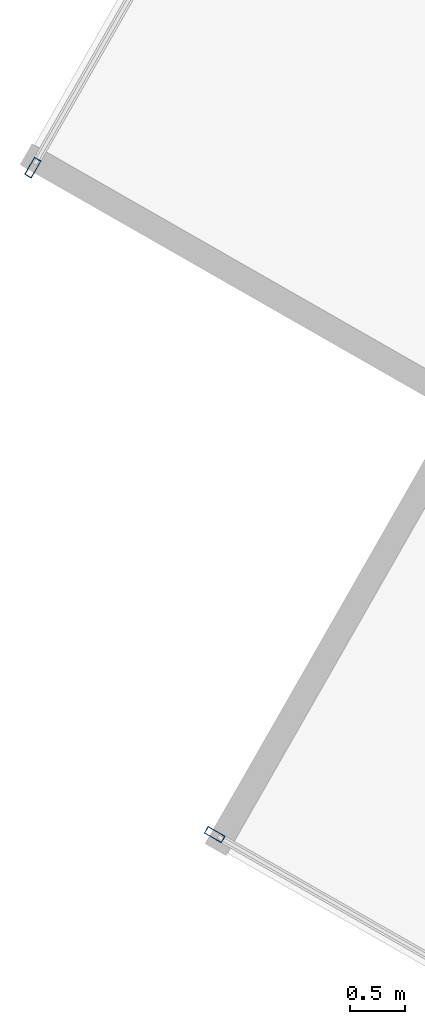
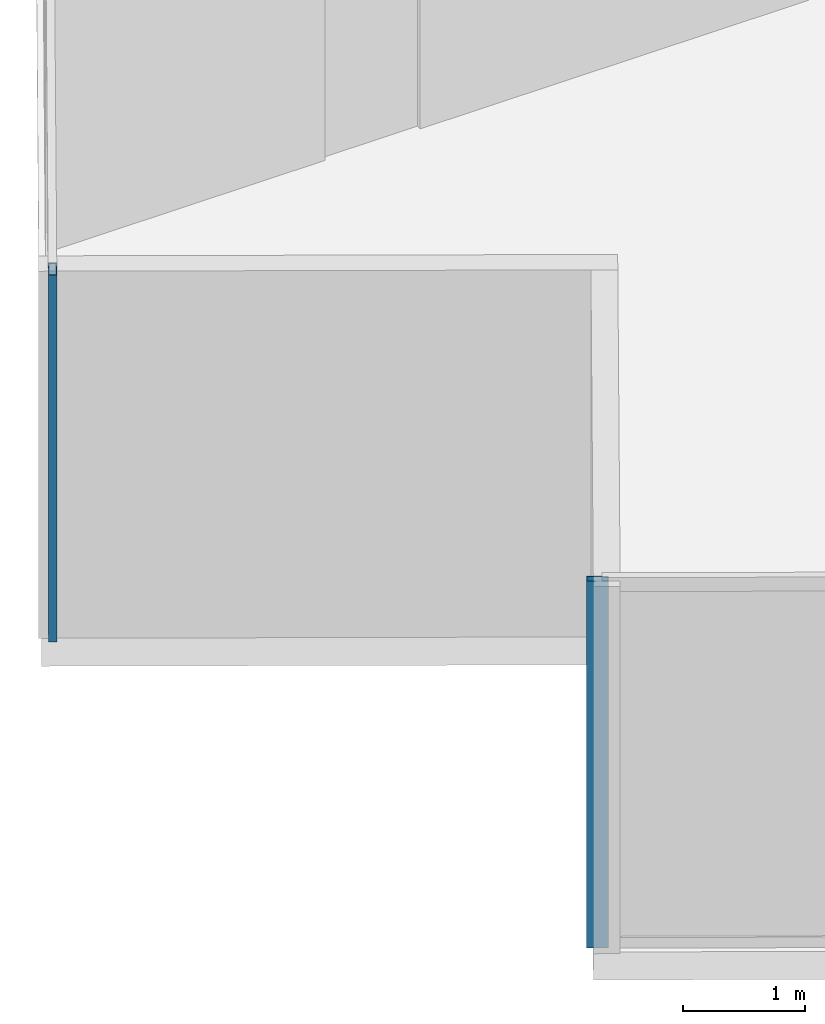
# One storey, part 5 of 24: 2 members, 2 elements without a shape of their own.
"""IFC4 building model written with IfcOpenShell, lengths in metres."""

from ifc_helpers import new_model, si_unit, direction, frame, origin, origin_2d, place, context, subcontext, project, spatial, hollow_rectangle, extrude, source, transform, mapped, material, material_profile, profile_set, type_object, type_shapes, element, aggregate, save


model = new_model("IFC4")

# Units and contexts
model_context = context("Model", 3, precision=1e-05, world=origin(), true_north=direction((0.0, 1.0)))
body_context = subcontext(model_context, "Body", "Model", "MODEL_VIEW")
ifc_project = project(units=[si_unit("LENGTHUNIT", "METRE"), si_unit("AREAUNIT", "SQUARE_METRE"), si_unit("VOLUMEUNIT", "CUBIC_METRE"), si_unit("PLANEANGLEUNIT", "RADIAN"), si_unit("MASSUNIT", "GRAM", prefix="KILO")], contexts=[model_context])

# Site, building, storey
site_placement = place(None, origin())
site = spatial("IfcSite", under=ifc_project, at=site_placement, CompositionType="ELEMENT")
building_placement = place(site_placement, origin())
building = spatial("IfcBuilding", under=site, at=building_placement, Name="Krantzveldt Concourse Tower", CompositionType="ELEMENT")
storey_placement = place(building_placement, frame((0.0, 0.0, 169.89990234375)))
storey = spatial("IfcBuildingStorey", under=building, at=storey_placement, Name="L41", CompositionType="ELEMENT", Elevation=169.89990234375)

# Curtain wall, member
ifc_material = material(Name="Anodised aluminium 6063-T6", Category="aluminium")
curtain_wall_type = type_object("IfcCurtainWallType", Name="CW3", PredefinedType="USERDEFINED", material=ifc_material)
curtain_wall_1_placement = place(storey_placement, origin())
curtain_wall_1 = element("IfcCurtainWall", 1, at=curtain_wall_1_placement, inside=storey, type_object=curtain_wall_type, Name="CW-L41-F05", ObjectType="UNITISED CURTAIN WALL", PredefinedType="USERDEFINED")
ifc_material_profile = material_profile(ifc_material, hollow_rectangle(XDim=0.070068359375, YDim=0.179931640625, WallThickness=0.0048828125, at=origin_2d()), Name="Anodised aluminium 6063-T6", Category="aluminium")
ifc_profile_set = profile_set([ifc_material_profile], Name="Anodised aluminium 6063-T6 - ALU-MULL 180x70x5")
member_type = type_object("IfcMemberType", Name="CW-MUL-180", PredefinedType="MULLION", material=ifc_profile_set)
shared_shape = source(origin(), body_context, "Body", "SweptSolid", [
    extrude(hollow_rectangle(XDim=0.070068359375, YDim=0.179931640625, WallThickness=0.0048828125, at=origin_2d()), origin(), (0.0, 0.0, 1.0), 3.670166015625),
])
type_shapes(member_type, [shared_shape])
member_1_placement = place(storey_placement, frame((8.44775390625, 22.4462890625, 0.0), z_axis=(0.0, 0.0, 1.0), x_axis=(0.868199066314, -0.496216063073, 0.0)))
member_1 = element("IfcMember", 2, at=member_1_placement, type_object=member_type, Name="CW-Z34 mullion 3", PredefinedType="MULLION", context=body_context, shape_type="MappedRepresentation", body=[
    mapped(shared_shape, transform((0.0, 0.0, 0.0), x_axis=(1.0, 0.0, 0.0), y_axis=(0.0, 1.0, 0.0), z_axis=(0.0, 0.0, 1.0), scale=1.0)),
])
aggregate(curtain_wall_1, [member_1])

curtain_wall_2_placement = place(storey_placement, origin())
curtain_wall_2 = element("IfcCurtainWall", 3, at=curtain_wall_2_placement, inside=storey, type_object=curtain_wall_type, Name="CW-L41-F08", ObjectType="UNITISED CURTAIN WALL", PredefinedType="USERDEFINED")
member_2_placement = place(storey_placement, frame((10.101318359375, 16.38134765625, 0.0), z_axis=(0.0, 0.0, 1.0), x_axis=(0.496216394392, 0.868198876949, 0.0)))
member_2 = element("IfcMember", 4, at=member_2_placement, type_object=member_type, Name="CW-Z34 mullion 1", PredefinedType="MULLION", context=body_context, shape_type="MappedRepresentation", body=[
    mapped(shared_shape, transform((0.0, 0.0, 0.0), x_axis=(1.0, 0.0, 0.0), y_axis=(0.0, 1.0, 0.0), z_axis=(0.0, 0.0, 1.0), scale=1.0)),
])
aggregate(curtain_wall_2, [member_2])

save(model, "model.ifc")
